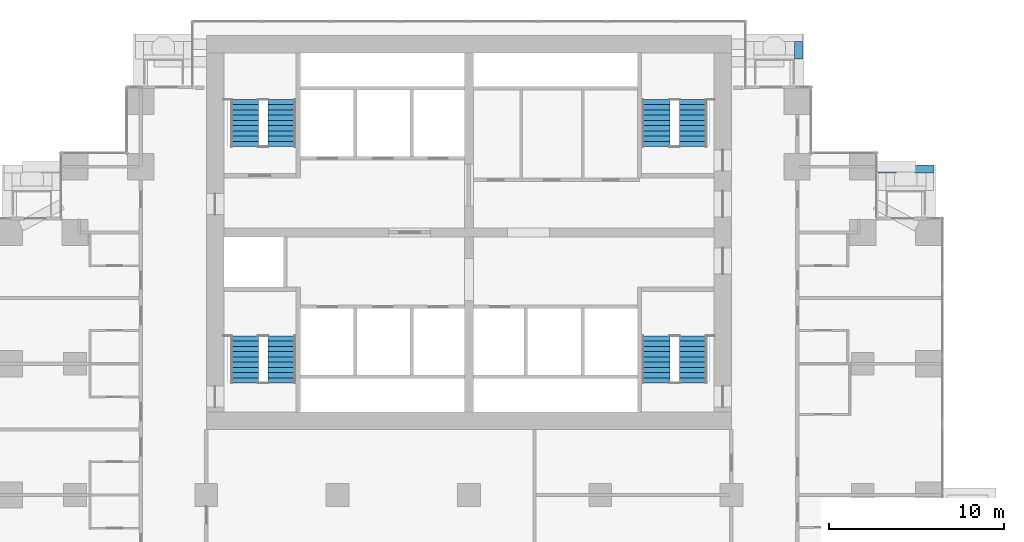
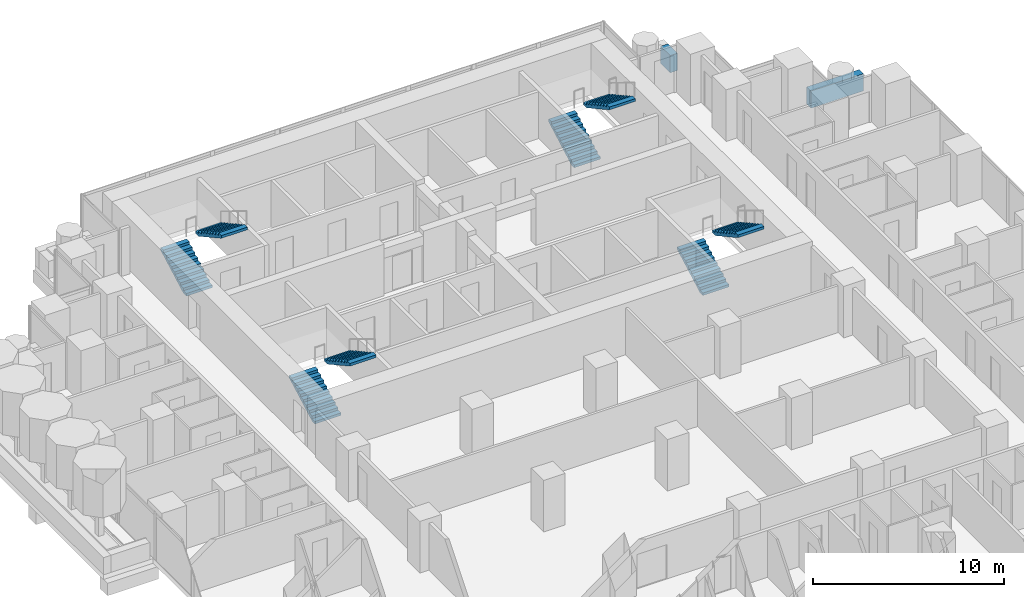
# One storey, part 16 of 19: 8 stair flights, 2 walls, 4 elements without a shape of their own.
"""IFC4 building model written with IfcOpenShell, lengths in metres."""

from ifc_helpers import new_model, si_unit, direction, frame, frame_2d, origin, place, context, subcontext, project, spatial, polyline, rectangle, outline, extrude, material, layer, layer_set, type_object, element, aggregate, save


model = new_model("IFC4")

# Units and contexts
model_context = context("Model", 3, precision=1e-05, world=origin(), true_north=direction((0.0, 1.0)))
body_context = subcontext(model_context, "Body", "Model", "MODEL_VIEW")
ifc_project = project(units=[si_unit("LENGTHUNIT", "METRE"), si_unit("AREAUNIT", "SQUARE_METRE"), si_unit("VOLUMEUNIT", "CUBIC_METRE"), si_unit("PLANEANGLEUNIT", "RADIAN"), si_unit("MASSUNIT", "GRAM", prefix="KILO")], contexts=[model_context])

# Site, building, storey
site_placement = place(None, origin())
site = spatial("IfcSite", under=ifc_project, at=site_placement, CompositionType="ELEMENT")
building_placement = place(site_placement, origin())
building = spatial("IfcBuilding", under=site, at=building_placement, Name="Pilkhan Gate Tower", CompositionType="ELEMENT")
storey_placement = place(building_placement, frame((0.0, 0.0, 62.60009765625)))
storey = spatial("IfcBuildingStorey", under=building, at=storey_placement, Name="L13", CompositionType="ELEMENT", Elevation=62.60009765625)

# Walls
ifc_material_1 = material(Name="Board-marked Concrete C40/50", Category="concrete")
ifc_layer = layer(ifc_material_1, 0.449951171875)
ifc_layer_set = layer_set([ifc_layer], Name="Balcony planter lip BL450")
wall_type = type_object("IfcWallType", Name="Balcony planter lip BL450", PredefinedType="USERDEFINED", material=ifc_layer_set)
wall_1_placement = place(storey_placement, frame((93.824951171875, 92.39990234375, 0.0), z_axis=(0.0, 0.0, 1.0), x_axis=(0.0, 1.0, 0.0)))
element("IfcWall", 1, at=wall_1_placement, inside=storey, type_object=wall_type, Name="Balcony planter L13 N", ObjectType="BALCONY PLANTER", PredefinedType="USERDEFINED", context=body_context, shape_type="SweptSolid", body=[
    extrude(rectangle(XDim=1.0, YDim=0.449951171875, at=frame_2d((0.5, 0.0))), origin(), (0.0, 0.0, 1.0), 1.099853515625),
])
wall_2_placement = place(storey_placement, frame((98.3701171875, 86.125, 0.0), z_axis=(0.0, 0.0, 1.0), x_axis=(1.0, 0.0, 0.0)))
element("IfcWall", 2, at=wall_2_placement, inside=storey, type_object=wall_type, Name="Balcony planter L13 N", ObjectType="BALCONY PLANTER", PredefinedType="USERDEFINED", context=body_context, shape_type="SweptSolid", body=[
    extrude(rectangle(XDim=3.179931640625, YDim=0.449951171875, at=frame_2d((1.58984375, 0.0))), origin(), (0.0, 0.0, 1.0), 1.099853515625),
])

# Stair, stair flights
ifc_material_2 = material(Name="Concrete C40/50 precast", Category="concrete")
stair_type_1 = type_object("IfcStairType", Name="Stair ST1 165x300", PredefinedType="HALF_TURN_STAIR", material=ifc_material_2)
stair_1_placement = place(storey_placement, origin())
stair_1 = element("IfcStair", 3, at=stair_1_placement, inside=storey, type_object=stair_type_1, Name="Stair ST1 L13", PredefinedType="HALF_TURN_STAIR")
stair_flight_type_1 = type_object("IfcStairFlightType", Name="Stair flight ST1 165x300x10", PredefinedType="STRAIGHT", material=ifc_material_2)
stair_flight_1_placement = place(storey_placement, frame((85.68994140625, 73.89990234375, 0.0), z_axis=(0.0, 0.0, 1.0), x_axis=(0.0, 1.0, 0.0)))
stair_flight_1 = element("IfcStairFlight", 4, at=stair_flight_1_placement, type_object=stair_flight_type_1, Name="ST1 flight 1", NumberOfRisers=10, NumberOfTreads=9, PredefinedType="STRAIGHT", RiserHeight=0.165, TreadLength=0.3, context=body_context, shape_type="SweptSolid", body=[
    extrude(outline(polyline([(0.0, 0.0), (0.0, 0.1650390625), (0.300048828125, 0.1650390625), (0.300048828125, 0.330078125), (0.60009765625, 0.330078125), (0.60009765625, 0.4951171875), (0.89990234375, 0.4951171875), (0.89990234375, 0.659912109375), (1.199951171875, 0.659912109375), (1.199951171875, 0.824951171875), (1.5, 0.824951171875), (1.5, 0.989990234375), (1.800048828125, 0.989990234375), (1.800048828125, 1.155029296875), (2.10009765625, 1.155029296875), (2.10009765625, 1.320068359375), (2.39990234375, 1.320068359375), (2.39990234375, 1.485107421875), (2.699951171875, 1.485107421875), (2.699951171875, 1.64990234375), (2.699951171875, 1.31396484375), (0.31103515625, 0.0), (0.0, 0.0)])), frame((0.0, 0.7900390625, 0.0), z_axis=(0.0, -1.0, 0.0), x_axis=(1.0, 0.0, 0.0)), (0.0, 0.0, 1.0), 1.580078125),
])
stair_flight_2_placement = place(storey_placement, frame((87.81005859375, 76.60009765625, 1.64990234375), z_axis=(0.0, 0.0, 1.0), x_axis=(0.0, -1.0, 0.0)))
stair_flight_2 = element("IfcStairFlight", 5, at=stair_flight_2_placement, type_object=stair_flight_type_1, Name="ST1 flight 2", NumberOfRisers=10, NumberOfTreads=9, PredefinedType="STRAIGHT", RiserHeight=0.165, TreadLength=0.3, context=body_context, shape_type="SweptSolid", body=[
    extrude(outline(polyline([(0.0, 0.0), (0.0, 0.1650390625), (0.300048828125, 0.1650390625), (0.300048828125, 0.330078125), (0.60009765625, 0.330078125), (0.60009765625, 0.4951171875), (0.89990234375, 0.4951171875), (0.89990234375, 0.659912109375), (1.199951171875, 0.659912109375), (1.199951171875, 0.824951171875), (1.5, 0.824951171875), (1.5, 0.989990234375), (1.800048828125, 0.989990234375), (1.800048828125, 1.155029296875), (2.10009765625, 1.155029296875), (2.10009765625, 1.320068359375), (2.39990234375, 1.320068359375), (2.39990234375, 1.485107421875), (2.699951171875, 1.485107421875), (2.699951171875, 1.64990234375), (2.699951171875, 1.31396484375), (0.31103515625, 0.0), (0.0, 0.0)])), frame((0.0, 0.7900390625, 0.0), z_axis=(0.0, -1.0, 0.0), x_axis=(1.0, 0.0, 0.0)), (0.0, 0.0, 1.0), 1.580078125),
])
aggregate(stair_1, [stair_flight_1, stair_flight_2])

stair_type_2 = type_object("IfcStairType", Name="Stair ST2 165x300", PredefinedType="HALF_TURN_STAIR", material=ifc_material_2)
stair_2_placement = place(storey_placement, origin())
stair_2 = element("IfcStair", 6, at=stair_2_placement, inside=storey, type_object=stair_type_2, Name="Stair ST2 L13", PredefinedType="HALF_TURN_STAIR")
stair_flight_type_2 = type_object("IfcStairFlightType", Name="Stair flight ST2 165x300x10", PredefinedType="STRAIGHT", material=ifc_material_2)
stair_flight_3_placement = place(storey_placement, frame((62.18994140625, 73.89990234375, 0.0), z_axis=(0.0, 0.0, 1.0), x_axis=(0.0, 1.0, 0.0)))
stair_flight_3 = element("IfcStairFlight", 7, at=stair_flight_3_placement, type_object=stair_flight_type_2, Name="ST2 flight 1", NumberOfRisers=10, NumberOfTreads=9, PredefinedType="STRAIGHT", RiserHeight=0.165, TreadLength=0.3, context=body_context, shape_type="SweptSolid", body=[
    extrude(outline(polyline([(0.0, 0.0), (0.0, 0.1650390625), (0.300048828125, 0.1650390625), (0.300048828125, 0.330078125), (0.60009765625, 0.330078125), (0.60009765625, 0.4951171875), (0.89990234375, 0.4951171875), (0.89990234375, 0.659912109375), (1.199951171875, 0.659912109375), (1.199951171875, 0.824951171875), (1.5, 0.824951171875), (1.5, 0.989990234375), (1.800048828125, 0.989990234375), (1.800048828125, 1.155029296875), (2.10009765625, 1.155029296875), (2.10009765625, 1.320068359375), (2.39990234375, 1.320068359375), (2.39990234375, 1.485107421875), (2.699951171875, 1.485107421875), (2.699951171875, 1.64990234375), (2.699951171875, 1.31396484375), (0.31103515625, 0.0), (0.0, 0.0)])), frame((0.0, 0.7900390625, 0.0), z_axis=(0.0, -1.0, 0.0), x_axis=(1.0, 0.0, 0.0)), (0.0, 0.0, 1.0), 1.580078125),
])
stair_flight_4_placement = place(storey_placement, frame((64.31005859375, 76.60009765625, 1.64990234375), z_axis=(0.0, 0.0, 1.0), x_axis=(0.0, -1.0, 0.0)))
stair_flight_4 = element("IfcStairFlight", 8, at=stair_flight_4_placement, type_object=stair_flight_type_2, Name="ST2 flight 2", NumberOfRisers=10, NumberOfTreads=9, PredefinedType="STRAIGHT", RiserHeight=0.165, TreadLength=0.3, context=body_context, shape_type="SweptSolid", body=[
    extrude(outline(polyline([(0.0, 0.0), (0.0, 0.1650390625), (0.300048828125, 0.1650390625), (0.300048828125, 0.330078125), (0.60009765625, 0.330078125), (0.60009765625, 0.4951171875), (0.89990234375, 0.4951171875), (0.89990234375, 0.659912109375), (1.199951171875, 0.659912109375), (1.199951171875, 0.824951171875), (1.5, 0.824951171875), (1.5, 0.989990234375), (1.800048828125, 0.989990234375), (1.800048828125, 1.155029296875), (2.10009765625, 1.155029296875), (2.10009765625, 1.320068359375), (2.39990234375, 1.320068359375), (2.39990234375, 1.485107421875), (2.699951171875, 1.485107421875), (2.699951171875, 1.64990234375), (2.699951171875, 1.31396484375), (0.31103515625, 0.0), (0.0, 0.0)])), frame((0.0, 0.7900390625, 0.0), z_axis=(0.0, -1.0, 0.0), x_axis=(1.0, 0.0, 0.0)), (0.0, 0.0, 1.0), 1.580078125),
])
aggregate(stair_2, [stair_flight_3, stair_flight_4])

stair_type_3 = type_object("IfcStairType", Name="Stair ST3 165x300", PredefinedType="HALF_TURN_STAIR", material=ifc_material_2)
stair_3_placement = place(storey_placement, origin())
stair_3 = element("IfcStair", 9, at=stair_3_placement, inside=storey, type_object=stair_type_3, Name="Stair ST3 L13", PredefinedType="HALF_TURN_STAIR")
stair_flight_type_3 = type_object("IfcStairFlightType", Name="Stair flight ST3 165x300x10", PredefinedType="STRAIGHT", material=ifc_material_2)
stair_flight_5_placement = place(storey_placement, frame((62.18994140625, 87.39990234375, 0.0), z_axis=(0.0, 0.0, 1.0), x_axis=(0.0, 1.0, 0.0)))
stair_flight_5 = element("IfcStairFlight", 10, at=stair_flight_5_placement, type_object=stair_flight_type_3, Name="ST3 flight 1", NumberOfRisers=10, NumberOfTreads=9, PredefinedType="STRAIGHT", RiserHeight=0.165, TreadLength=0.3, context=body_context, shape_type="SweptSolid", body=[
    extrude(outline(polyline([(0.0, 0.0), (0.0, 0.1650390625), (0.300048828125, 0.1650390625), (0.300048828125, 0.330078125), (0.60009765625, 0.330078125), (0.60009765625, 0.4951171875), (0.89990234375, 0.4951171875), (0.89990234375, 0.659912109375), (1.199951171875, 0.659912109375), (1.199951171875, 0.824951171875), (1.5, 0.824951171875), (1.5, 0.989990234375), (1.800048828125, 0.989990234375), (1.800048828125, 1.155029296875), (2.10009765625, 1.155029296875), (2.10009765625, 1.320068359375), (2.39990234375, 1.320068359375), (2.39990234375, 1.485107421875), (2.699951171875, 1.485107421875), (2.699951171875, 1.64990234375), (2.699951171875, 1.31396484375), (0.31103515625, 0.0), (0.0, 0.0)])), frame((0.0, 0.7900390625, 0.0), z_axis=(0.0, -1.0, 0.0), x_axis=(1.0, 0.0, 0.0)), (0.0, 0.0, 1.0), 1.580078125),
])
stair_flight_6_placement = place(storey_placement, frame((64.31005859375, 90.10009765625, 1.64990234375), z_axis=(0.0, 0.0, 1.0), x_axis=(0.0, -1.0, 0.0)))
stair_flight_6 = element("IfcStairFlight", 11, at=stair_flight_6_placement, type_object=stair_flight_type_3, Name="ST3 flight 2", NumberOfRisers=10, NumberOfTreads=9, PredefinedType="STRAIGHT", RiserHeight=0.165, TreadLength=0.3, context=body_context, shape_type="SweptSolid", body=[
    extrude(outline(polyline([(0.0, 0.0), (0.0, 0.1650390625), (0.300048828125, 0.1650390625), (0.300048828125, 0.330078125), (0.60009765625, 0.330078125), (0.60009765625, 0.4951171875), (0.89990234375, 0.4951171875), (0.89990234375, 0.659912109375), (1.199951171875, 0.659912109375), (1.199951171875, 0.824951171875), (1.5, 0.824951171875), (1.5, 0.989990234375), (1.800048828125, 0.989990234375), (1.800048828125, 1.155029296875), (2.10009765625, 1.155029296875), (2.10009765625, 1.320068359375), (2.39990234375, 1.320068359375), (2.39990234375, 1.485107421875), (2.699951171875, 1.485107421875), (2.699951171875, 1.64990234375), (2.699951171875, 1.31396484375), (0.31103515625, 0.0), (0.0, 0.0)])), frame((0.0, 0.7900390625, 0.0), z_axis=(0.0, -1.0, 0.0), x_axis=(1.0, 0.0, 0.0)), (0.0, 0.0, 1.0), 1.580078125),
])
aggregate(stair_3, [stair_flight_5, stair_flight_6])

stair_type_4 = type_object("IfcStairType", Name="Stair ST4 165x300", PredefinedType="HALF_TURN_STAIR", material=ifc_material_2)
stair_4_placement = place(storey_placement, origin())
stair_4 = element("IfcStair", 12, at=stair_4_placement, inside=storey, type_object=stair_type_4, Name="Stair ST4 L13", PredefinedType="HALF_TURN_STAIR")
stair_flight_type_4 = type_object("IfcStairFlightType", Name="Stair flight ST4 165x300x10", PredefinedType="STRAIGHT", material=ifc_material_2)
stair_flight_7_placement = place(storey_placement, frame((85.68994140625, 87.39990234375, 0.0), z_axis=(0.0, 0.0, 1.0), x_axis=(0.0, 1.0, 0.0)))
stair_flight_7 = element("IfcStairFlight", 13, at=stair_flight_7_placement, type_object=stair_flight_type_4, Name="ST4 flight 1", NumberOfRisers=10, NumberOfTreads=9, PredefinedType="STRAIGHT", RiserHeight=0.165, TreadLength=0.3, context=body_context, shape_type="SweptSolid", body=[
    extrude(outline(polyline([(0.0, 0.0), (0.0, 0.1650390625), (0.300048828125, 0.1650390625), (0.300048828125, 0.330078125), (0.60009765625, 0.330078125), (0.60009765625, 0.4951171875), (0.89990234375, 0.4951171875), (0.89990234375, 0.659912109375), (1.199951171875, 0.659912109375), (1.199951171875, 0.824951171875), (1.5, 0.824951171875), (1.5, 0.989990234375), (1.800048828125, 0.989990234375), (1.800048828125, 1.155029296875), (2.10009765625, 1.155029296875), (2.10009765625, 1.320068359375), (2.39990234375, 1.320068359375), (2.39990234375, 1.485107421875), (2.699951171875, 1.485107421875), (2.699951171875, 1.64990234375), (2.699951171875, 1.31396484375), (0.31103515625, 0.0), (0.0, 0.0)])), frame((0.0, 0.7900390625, 0.0), z_axis=(0.0, -1.0, 0.0), x_axis=(1.0, 0.0, 0.0)), (0.0, 0.0, 1.0), 1.580078125),
])
stair_flight_8_placement = place(storey_placement, frame((87.81005859375, 90.10009765625, 1.64990234375), z_axis=(0.0, 0.0, 1.0), x_axis=(0.0, -1.0, 0.0)))
stair_flight_8 = element("IfcStairFlight", 14, at=stair_flight_8_placement, type_object=stair_flight_type_4, Name="ST4 flight 2", NumberOfRisers=10, NumberOfTreads=9, PredefinedType="STRAIGHT", RiserHeight=0.165, TreadLength=0.3, context=body_context, shape_type="SweptSolid", body=[
    extrude(outline(polyline([(0.0, 0.0), (0.0, 0.1650390625), (0.300048828125, 0.1650390625), (0.300048828125, 0.330078125), (0.60009765625, 0.330078125), (0.60009765625, 0.4951171875), (0.89990234375, 0.4951171875), (0.89990234375, 0.659912109375), (1.199951171875, 0.659912109375), (1.199951171875, 0.824951171875), (1.5, 0.824951171875), (1.5, 0.989990234375), (1.800048828125, 0.989990234375), (1.800048828125, 1.155029296875), (2.10009765625, 1.155029296875), (2.10009765625, 1.320068359375), (2.39990234375, 1.320068359375), (2.39990234375, 1.485107421875), (2.699951171875, 1.485107421875), (2.699951171875, 1.64990234375), (2.699951171875, 1.31396484375), (0.31103515625, 0.0), (0.0, 0.0)])), frame((0.0, 0.7900390625, 0.0), z_axis=(0.0, -1.0, 0.0), x_axis=(1.0, 0.0, 0.0)), (0.0, 0.0, 1.0), 1.580078125),
])
aggregate(stair_4, [stair_flight_7, stair_flight_8])

save(model, "model.ifc")
